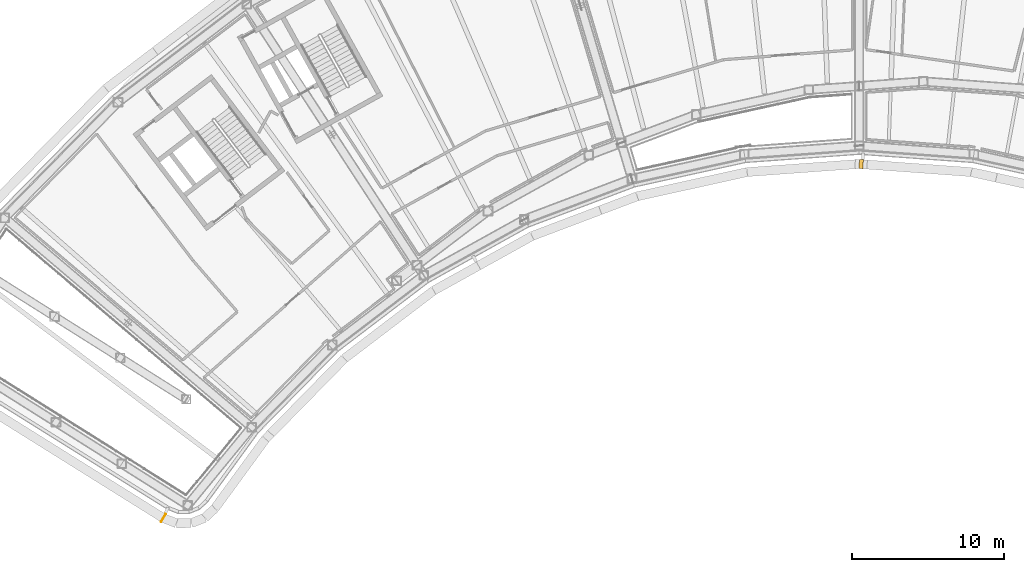
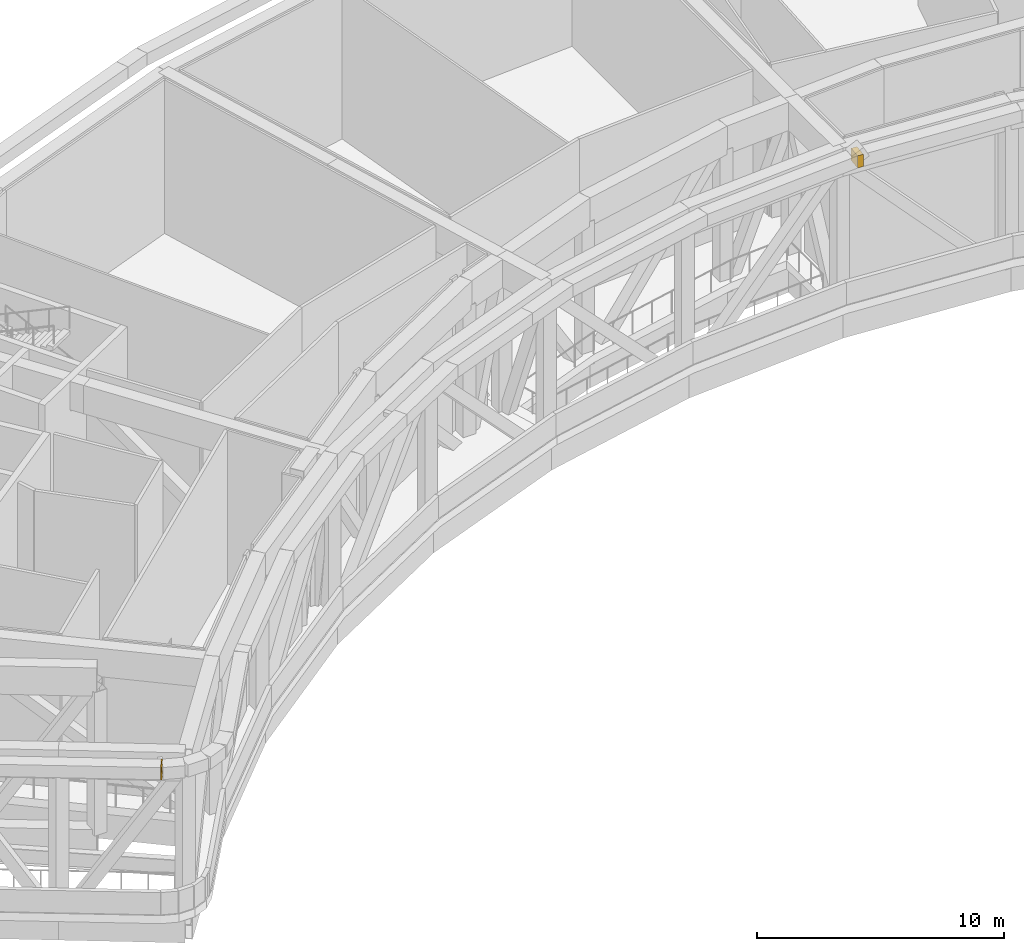
# One storey, part 24 of 24: 2 coverings.
"""IFC4 building model written with IfcOpenShell, lengths in metres."""

from ifc_helpers import new_model, si_unit, direction, frame, origin, origin_2d, place, context, subcontext, project, spatial, rectangle, extrude, material, material_profile, profile_set, type_object, element, save


model = new_model("IFC4")

# Units and contexts
model_context = context("Model", 3, precision=1e-05, world=origin(), true_north=direction((0.0, 1.0)))
body_context = subcontext(model_context, "Body", "Model", "MODEL_VIEW")
ifc_project = project(units=[si_unit("LENGTHUNIT", "METRE"), si_unit("AREAUNIT", "SQUARE_METRE"), si_unit("VOLUMEUNIT", "CUBIC_METRE"), si_unit("PLANEANGLEUNIT", "RADIAN"), si_unit("MASSUNIT", "GRAM", prefix="KILO")], contexts=[model_context])

# Site, building, storey
site_placement = place(None, origin())
site = spatial("IfcSite", under=ifc_project, at=site_placement, CompositionType="ELEMENT")
building_placement = place(site_placement, origin())
building = spatial("IfcBuilding", under=site, at=building_placement, Name="Tuul Gate Civic Tower", CompositionType="ELEMENT")
storey_placement = place(building_placement, frame((0.0, 0.0, 277.800048828125)))
storey = spatial("IfcBuildingStorey", under=building, at=storey_placement, Name="Wind floor 2", CompositionType="ELEMENT", Elevation=277.800048828125)

# Coverings
ifc_material = material(Name="Terracotta baguette", Category="masonry")
ifc_material_profile = material_profile(ifc_material, rectangle(XDim=0.60009765625, YDim=0.60009765625, at=origin_2d()), Name="Terracotta baguette screen frame")
ifc_profile_set = profile_set([ifc_material_profile], Name="Terracotta baguette")
covering_type = type_object("IfcCoveringType", Name="Terracotta baguette screen frame", PredefinedType="CLADDING", material=ifc_profile_set)
covering_1_placement = place(storey_placement, frame((-39.140869140625, -36.6748046875, 7.64990234375), z_axis=(0.848261487435, -0.529577613702, 0.0), x_axis=(0.529577613702, 0.848261487435, 0.0)))
element("IfcCovering", 1, at=covering_1_placement, inside=storey, type_object=covering_type, Name="Baguette 157", PredefinedType="CLADDING", context=body_context, shape_type="SweptSolid", body=[
    extrude(rectangle(XDim=0.60009765625, YDim=0.60009765625, at=origin_2d()), origin(), (0.0, 0.0, 1.0), 0.052001953125),
])
covering_2_placement = place(storey_placement, frame((6.7880859375, -13.326904296875, 7.64990234375), z_axis=(0.997368261677, -0.072502073076, 0.0), x_axis=(0.072502073076, 0.997368261677, 0.0)))
element("IfcCovering", 2, at=covering_2_placement, inside=storey, type_object=covering_type, Name="Baguette 392", PredefinedType="CLADDING", context=body_context, shape_type="SweptSolid", body=[
    extrude(rectangle(XDim=0.60009765625, YDim=0.60009765625, at=origin_2d()), origin(), (0.0, 0.0, 1.0), 0.2626953125),
])

save(model, "model.ifc")
